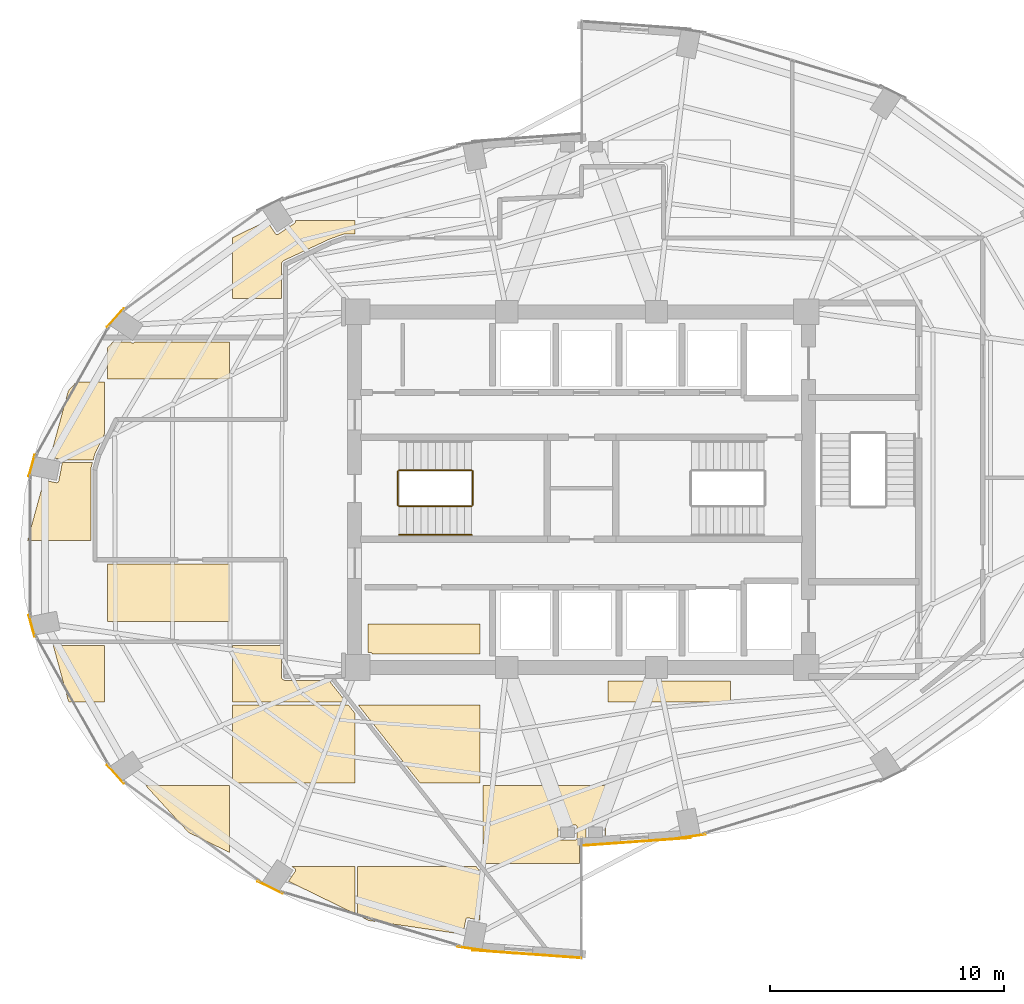
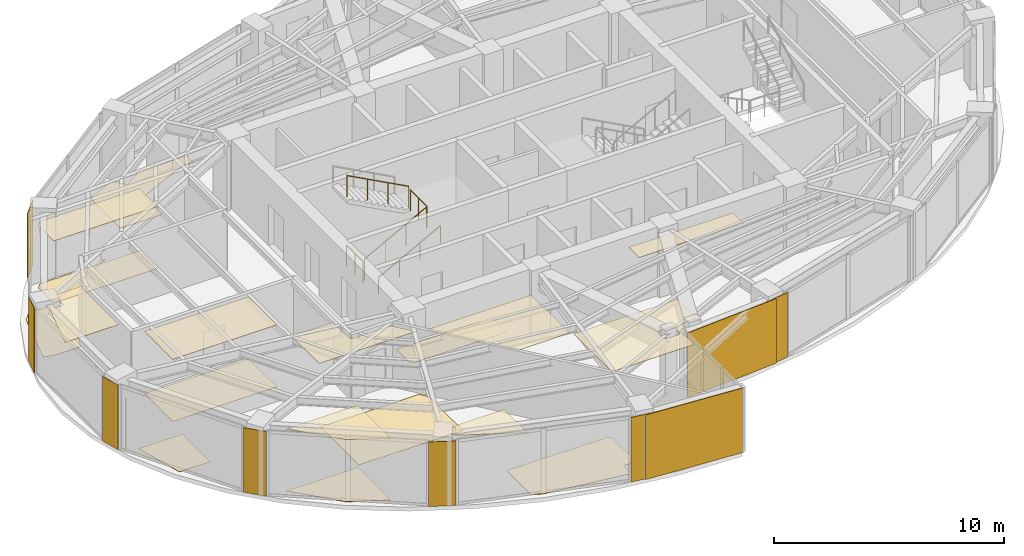
# One storey, part 19 of 20: 27 coverings, 5 railings.
"""IFC4 building model written with IfcOpenShell, lengths in metres."""

from ifc_helpers import new_model, si_unit, direction, frame, origin, origin_2d, place, context, subcontext, project, spatial, polyline, rectangle, circle, outline, extrude, material, layer, layer_set, type_object, element, save


model = new_model("IFC4")

# Units and contexts
model_context = context("Model", 3, precision=1e-05, world=origin(), true_north=direction((0.0, 1.0)))
body_context = subcontext(model_context, "Body", "Model", "MODEL_VIEW")
ifc_project = project(units=[si_unit("LENGTHUNIT", "METRE"), si_unit("AREAUNIT", "SQUARE_METRE"), si_unit("VOLUMEUNIT", "CUBIC_METRE"), si_unit("PLANEANGLEUNIT", "RADIAN"), si_unit("MASSUNIT", "GRAM", prefix="KILO")], contexts=[model_context])

# Site, building, storey
site_placement = place(None, origin())
site = spatial("IfcSite", under=ifc_project, at=site_placement, CompositionType="ELEMENT")
building_placement = place(site_placement, origin())
building = spatial("IfcBuilding", under=site, at=building_placement, Name="Lazwardi Medical Tower", CompositionType="ELEMENT")
storey_placement = place(building_placement, frame((0.0, 0.0, 152.8798828125)))
storey = spatial("IfcBuildingStorey", under=building, at=storey_placement, Name="L39", CompositionType="ELEMENT", Elevation=152.8798828125)

# Coverings
ifc_material_1 = material(Name="Anodised bronze aluminium cassette cladding", Category="aluminium")
ifc_layer_1 = layer(ifc_material_1, 0.030029296875)
ifc_layer_set_1 = layer_set([ifc_layer_1], Name="Anodised bronze aluminium cassette cladding")
covering_type_1 = type_object("IfcCoveringType", Name="COV-CLD-BRZ", PredefinedType="CLADDING", material=ifc_layer_set_1)
covering_1_placement = place(storey_placement, frame((40.67431640625, 13.17578125, 0.0), z_axis=(0.0, 0.0, 1.0), x_axis=(0.989539138138, 0.144264666823, 0.0)))
element("IfcCovering", 1, at=covering_1_placement, inside=storey, type_object=covering_type_1, Name="L39 Mega-column bronze cassette cover M01", PredefinedType="CLADDING", context=body_context, shape_type="SweptSolid", body=[
    extrude(rectangle(XDim=1.28515625, YDim=0.030029296875, at=origin_2d()), origin(), (0.0, 0.0, 1.0), 3.427978515625),
])
covering_2_placement = place(storey_placement, frame((16.07861328125, 35.356689453125, 0.0), z_axis=(0.0, 0.0, 1.0), x_axis=(-0.673714459537, -0.738991763832, 0.0)))
element("IfcCovering", 2, at=covering_2_placement, inside=storey, type_object=covering_type_1, Name="L39 Mega-column bronze cassette cover M11", PredefinedType="CLADDING", context=body_context, shape_type="SweptSolid", body=[
    extrude(rectangle(XDim=1.0693359375, YDim=0.030029296875, at=origin_2d()), origin(), (0.0, 0.0, 1.0), 3.427978515625),
])
for number, where, z_axis, x_axis, name in (
    (3, (12.501220703125, 29.026123046875, 0.0), (0.0, 0.0, 1.0), (-0.261828726257, -0.965114354938, 0.0), "L39 Mega-column bronze cassette cover M12"),
    (4, (12.501220703125, 22.173828125, 0.0), (0.0, 0.0, 1.0), (0.261828726257, -0.965114354938, 0.0), "L39 Mega-column bronze cassette cover M13"),
):
    element("IfcCovering", number, at=place(storey_placement, frame(where, z_axis=z_axis, x_axis=x_axis)), inside=storey, type_object=covering_type_1, Name=name, PredefinedType="CLADDING", context=body_context, shape_type="SweptSolid", body=[
        extrude(rectangle(XDim=0.9658203125, YDim=0.030029296875, at=origin_2d()), origin(), (0.0, 0.0, 1.0), 3.427978515625),
    ])
covering_3_placement = place(storey_placement, frame((16.07861328125, 15.84326171875, 0.0), z_axis=(0.0, 0.0, 1.0), x_axis=(0.673714459537, -0.738991763832, 0.0)))
element("IfcCovering", 5, at=covering_3_placement, inside=storey, type_object=covering_type_1, Name="L39 Mega-column bronze cassette cover M14", PredefinedType="CLADDING", context=body_context, shape_type="SweptSolid", body=[
    extrude(rectangle(XDim=1.0693359375, YDim=0.030029296875, at=origin_2d()), origin(), (0.0, 0.0, 1.0), 3.427978515625),
])
covering_4_placement = place(storey_placement, frame((22.68896484375, 10.998046875, 0.0), z_axis=(0.0, 0.0, 1.0), x_axis=(0.898079014814, -0.439834154144, 0.0)))
element("IfcCovering", 6, at=covering_4_placement, inside=storey, type_object=covering_type_1, Name="L39 Mega-column bronze cassette cover M15", PredefinedType="CLADDING", context=body_context, shape_type="SweptSolid", body=[
    extrude(rectangle(XDim=1.200439453125, YDim=0.030029296875, at=origin_2d()), origin(), (0.0, 0.0, 1.0), 3.427978515625),
])
covering_5_placement = place(storey_placement, frame((31.32568359375, 8.3759765625, 0.0), z_axis=(0.0, 0.0, 1.0), x_axis=(0.989539138138, -0.144264666823, 0.0)))
element("IfcCovering", 7, at=covering_5_placement, inside=storey, type_object=covering_type_1, Name="L39 Mega-column bronze cassette cover M16", PredefinedType="CLADDING", context=body_context, shape_type="SweptSolid", body=[
    extrude(rectangle(XDim=1.28515625, YDim=0.030029296875, at=origin_2d()), origin(), (0.0, 0.0, 1.0), 3.427978515625),
])
ifc_material_2 = material(Name="Turquoise glazed ceramic tilework cladding", Category="masonry")
ifc_layer_2 = layer(ifc_material_2, 0.034912109375)
ifc_layer_set_2 = layer_set([ifc_layer_2], Name="Turquoise glazed ceramic tilework cladding")
covering_type_2 = type_object("IfcCoveringType", Name="COV-CLD-TRQ", PredefinedType="CLADDING", material=ifc_layer_set_2)
covering_6_placement = place(storey_placement, frame((38.338134765625, 12.952392578125, 0.0), z_axis=(0.0, 0.0, 1.0), x_axis=(0.997414510753, 0.071863020663, 0.0)))
element("IfcCovering", 8, at=covering_6_placement, inside=storey, type_object=covering_type_2, Name="L39 Turquoise glazed ceramic tilework cladding", PredefinedType="CLADDING", context=body_context, shape_type="SweptSolid", body=[
    extrude(rectangle(XDim=4.6630859375, YDim=0.034912109375, at=origin_2d()), origin(), (0.0, 0.0, 1.0), 3.427978515625),
])
covering_7_placement = place(storey_placement, frame((33.66162109375, 8.152587890625, 0.0), z_axis=(0.0, 0.0, 1.0), x_axis=(0.997414134466, -0.071868243112, 0.0)))
element("IfcCovering", 9, at=covering_7_placement, inside=storey, type_object=covering_type_2, Name="L39 Turquoise glazed ceramic tilework cladding", PredefinedType="CLADDING", context=body_context, shape_type="SweptSolid", body=[
    extrude(rectangle(XDim=4.66259765625, YDim=0.034912109375, at=origin_2d()), origin(), (0.0, 0.0, 1.0), 3.427978515625),
])
ifc_material_3 = material(Name="Acoustic mineral fibre tile")
ifc_layer_3 = layer(ifc_material_3, 0.02490234375)
ifc_layer_set_3 = layer_set([ifc_layer_3], Name="Acoustic mineral fibre tile")
covering_type_3 = type_object("IfcCoveringType", Name="COV-CLG-01", PredefinedType="CEILING", material=ifc_layer_set_3)
covering_8_placement = place(storey_placement, frame((0.0, 0.0, 3.283203125)))
element("IfcCovering", 10, at=covering_8_placement, inside=storey, type_object=covering_type_3, Name="L39 Clinical Acoustic Ceiling 1", PredefinedType="CEILING", context=body_context, shape_type="SweptSolid", body=[
    extrude(outline(polyline([(13.810302734375, 29.152587890625), (13.65234375, 28.3583984375), (13.650390625, 28.3505859375), (13.647705078125, 28.34326171875), (13.644287109375, 28.336181640625), (13.640380859375, 28.32958984375), (13.635498046875, 28.322998046875), (13.63037109375, 28.3173828125), (13.62451171875, 28.31201171875), (13.6181640625, 28.307373046875), (13.611572265625, 28.30322265625), (13.6044921875, 28.300048828125), (13.596923828125, 28.29736328125), (13.58935546875, 28.29541015625), (13.58154296875, 28.294189453125), (13.57373046875, 28.2939453125), (13.56591796875, 28.294189453125), (13.55810546875, 28.29541015625), (13.02490234375, 28.401611328125), (12.323486328125, 25.822509765625), (15.02490234375, 25.822509765625), (15.02490234375, 28.881103515625), (15.025146484375, 28.884765625), (15.025390625, 28.8935546875), (15.026123046875, 28.90087890625), (15.02734375, 28.90966796875), (15.02880859375, 28.91650390625), (15.03076171875, 28.92529296875), (15.031494140625, 28.928955078125), (15.09521484375, 29.152587890625), (13.810302734375, 29.152587890625)])), origin(), (0.0, 0.0, 1.0), 0.02490234375),
])
covering_9_placement = place(storey_placement, frame((0.0, 0.0, 3.283203125)))
element("IfcCovering", 11, at=covering_9_placement, inside=storey, type_object=covering_type_3, Name="L39 Clinical Acoustic Ceiling 2", PredefinedType="CEILING", context=body_context, shape_type="SweptSolid", body=[
    extrude(outline(polyline([(17.37353515625, 15.3525390625), (19.20556640625, 13.347412109375), (20.962890625, 12.488525390625), (20.962890625, 15.3525390625), (17.37353515625, 15.3525390625)])), origin(), (0.0, 0.0, 1.0), 0.02490234375),
])
covering_10_placement = place(storey_placement, frame((0.0, 0.0, 3.283203125)))
element("IfcCovering", 12, at=covering_10_placement, inside=storey, type_object=covering_type_3, Name="L39 Clinical Acoustic Ceiling 3", PredefinedType="CEILING", context=body_context, shape_type="SweptSolid", body=[
    extrude(outline(polyline([(20.962890625, 24.824951171875), (15.73291015625, 24.824951171875), (15.73291015625, 22.37255859375), (20.962890625, 22.37255859375), (20.962890625, 24.824951171875)])), origin(), (0.0, 0.0, 1.0), 0.02490234375),
])
covering_11_placement = place(storey_placement, frame((0.0, 0.0, 3.283203125)))
element("IfcCovering", 13, at=covering_11_placement, inside=storey, type_object=covering_type_3, Name="L39 Clinical Acoustic Ceiling 4", PredefinedType="CEILING", context=body_context, shape_type="SweptSolid", body=[
    extrude(outline(polyline([(20.962890625, 34.300048828125), (16.887939453125, 34.300048828125), (16.88671875, 34.29833984375), (16.882080078125, 34.2919921875), (16.876708984375, 34.2861328125), (16.87109375, 34.281005859375), (16.86474609375, 34.276123046875), (16.85791015625, 34.272216796875), (16.850830078125, 34.268798828125), (16.843505859375, 34.26611328125), (16.835693359375, 34.26416015625), (16.827880859375, 34.26318359375), (16.8203125, 34.2626953125), (16.8125, 34.26318359375), (16.8046875, 34.26416015625), (16.797119140625, 34.26611328125), (16.78955078125, 34.268798828125), (16.782470703125, 34.272216796875), (16.775634765625, 34.276123046875), (16.739990234375, 34.300048828125), (15.959716796875, 34.300048828125), (15.73291015625, 34.0517578125), (15.73291015625, 32.722412109375), (20.962890625, 32.722412109375), (20.962890625, 34.300048828125)])), origin(), (0.0, 0.0, 1.0), 0.02490234375),
])
covering_12_placement = place(storey_placement, frame((0.0, 0.0, 3.283203125)))
element("IfcCovering", 14, at=covering_12_placement, inside=storey, type_object=covering_type_3, Name="L39 Clinical Acoustic Ceiling 5", PredefinedType="CEILING", context=body_context, shape_type="SweptSolid", body=[
    extrude(outline(polyline([(23.604736328125, 11.902587890625), (23.74609375, 11.80810546875), (23.75244140625, 11.803466796875), (23.75830078125, 11.798095703125), (23.763427734375, 11.79248046875), (23.76806640625, 11.785888671875), (23.772216796875, 11.779296875), (23.775390625, 11.772216796875), (23.7783203125, 11.764892578125), (23.780029296875, 11.757080078125), (23.78125, 11.74951171875), (23.781494140625, 11.74169921875), (23.78125, 11.73388671875), (23.780029296875, 11.72607421875), (23.7783203125, 11.718505859375), (23.775390625, 11.7109375), (23.772216796875, 11.703857421875), (23.76806640625, 11.697021484375), (23.476318359375, 11.260498046875), (26.31298828125, 9.87451171875), (26.31298828125, 11.902587890625), (23.604736328125, 11.902587890625)])), origin(), (0.0, 0.0, 1.0), 0.02490234375),
])
covering_13_placement = place(storey_placement, frame((0.0, 0.0, 3.283203125)))
element("IfcCovering", 15, at=covering_13_placement, inside=storey, type_object=covering_type_3, Name="L39 Clinical Acoustic Ceiling 6", PredefinedType="CEILING", context=body_context, shape_type="SweptSolid", body=[
    extrude(outline(polyline([(25.93408203125, 18.922607421875), (25.203857421875, 19.844970703125), (23.35009765625, 19.844970703125), (23.345703125, 19.84521484375), (23.33642578125, 19.845703125), (23.32958984375, 19.84619140625), (23.3203125, 19.84765625), (23.31201171875, 19.84912109375), (23.302734375, 19.8515625), (23.2958984375, 19.853515625), (23.287109375, 19.856689453125), (23.279296875, 19.860107421875), (23.270751953125, 19.864013671875), (23.263916015625, 19.86767578125), (23.256103515625, 19.872314453125), (23.249267578125, 19.876953125), (23.24169921875, 19.882568359375), (23.236083984375, 19.88720703125), (23.229248046875, 19.893310546875), (23.223388671875, 19.8994140625), (23.217041015625, 19.90625), (23.21240234375, 19.911865234375), (23.206787109375, 19.919189453125), (23.202392578125, 19.926025390625), (23.197509765625, 19.93408203125), (23.194091796875, 19.94091796875), (23.18994140625, 19.94921875), (23.186767578125, 19.95703125), (23.18359375, 19.9658203125), (23.181396484375, 19.972900390625), (23.17919921875, 19.98193359375), (23.177490234375, 19.990234375), (23.17626953125, 19.99951171875), (23.175537109375, 20.00634765625), (23.175048828125, 20.015625), (23.175048828125, 20.02001953125), (23.175048828125, 21.3349609375), (21.0830078125, 21.3349609375), (21.0830078125, 18.922607421875), (25.93408203125, 18.922607421875)])), origin(), (0.0, 0.0, 1.0), 0.02490234375),
])
covering_14_placement = place(storey_placement, frame((0.0, 0.0, 3.283203125)))
element("IfcCovering", 16, at=covering_14_placement, inside=storey, type_object=covering_type_3, Name="L39 Clinical Acoustic Ceiling 7", PredefinedType="CEILING", context=body_context, shape_type="SweptSolid", body=[
    extrude(outline(polyline([(26.4501953125, 18.802490234375), (29.08642578125, 15.472412109375), (31.662841796875, 15.472412109375), (31.662841796875, 18.802490234375), (26.4501953125, 18.802490234375)])), origin(), (0.0, 0.0, 1.0), 0.02490234375),
])
covering_15_placement = place(storey_placement, frame((0.0, 0.0, 3.283203125)))
element("IfcCovering", 17, at=covering_15_placement, inside=storey, type_object=covering_type_3, Name="L39 Clinical Acoustic Ceiling 8", PredefinedType="CEILING", context=body_context, shape_type="SweptSolid", body=[
    extrude(outline(polyline([(31.782958984375, 12.06640625), (31.817626953125, 12.0224609375), (35.919921875, 12.0224609375), (35.919921875, 12.97998046875), (35.92041015625, 12.987548828125), (35.92138671875, 12.9951171875), (35.923095703125, 13.00244140625), (35.92578125, 13.009765625), (35.928955078125, 13.0166015625), (35.9326171875, 13.023193359375), (35.93701171875, 13.029296875), (35.942138671875, 13.03515625), (35.947509765625, 13.040283203125), (35.95361328125, 13.045166015625), (35.9599609375, 13.04931640625), (35.966796875, 13.052734375), (35.9736328125, 13.0556640625), (35.98095703125, 13.0576171875), (35.988525390625, 13.05908203125), (36.201416015625, 13.090087890625), (36.200439453125, 13.09716796875), (36.199951171875, 13.10498046875), (36.199951171875, 13.594970703125), (36.200439453125, 13.602783203125), (36.201416015625, 13.610595703125), (36.203369140625, 13.6181640625), (36.2060546875, 13.62548828125), (36.20947265625, 13.6328125), (36.21337890625, 13.639404296875), (36.21826171875, 13.645751953125), (36.223388671875, 13.651611328125), (36.229248046875, 13.65673828125), (36.235595703125, 13.66162109375), (36.2421875, 13.66552734375), (36.24951171875, 13.6689453125), (36.2568359375, 13.671630859375), (36.264404296875, 13.673583984375), (36.272216796875, 13.674560546875), (36.280029296875, 13.675048828125), (36.919921875, 13.675048828125), (36.927734375, 13.674560546875), (36.935546875, 13.673583984375), (36.943115234375, 13.671630859375), (36.95068359375, 13.6689453125), (36.957763671875, 13.66552734375), (36.96435546875, 13.66162109375), (36.970703125, 13.65673828125), (36.9765625, 13.651611328125), (36.981689453125, 13.645751953125), (36.986572265625, 13.639404296875), (36.990478515625, 13.6328125), (36.993896484375, 13.62548828125), (36.99658203125, 13.6181640625), (36.99853515625, 13.610595703125), (36.99951171875, 13.602783203125), (37.0, 13.594970703125), (37.0, 13.206298828125), (37.012939453125, 13.208251953125), (37.012939453125, 15.3525390625), (31.782958984375, 15.3525390625), (31.782958984375, 12.06640625)]), holes=[polyline([(35.7431640625, 13.0283203125), (35.735595703125, 13.026611328125), (35.727783203125, 13.025390625), (35.719970703125, 13.02490234375), (35.080078125, 13.02490234375), (35.072265625, 13.025390625), (35.064453125, 13.026611328125), (35.056884765625, 13.0283203125), (35.04931640625, 13.031005859375), (35.042236328125, 13.034423828125), (35.03564453125, 13.03857421875), (35.029296875, 13.043212890625), (35.0234375, 13.04833984375), (35.018310546875, 13.05419921875), (35.013427734375, 13.060546875), (35.009521484375, 13.0673828125), (35.006103515625, 13.074462890625), (35.00341796875, 13.081787109375), (35.00146484375, 13.08935546875), (35.00048828125, 13.09716796875), (35.0, 13.10498046875), (35.0, 13.594970703125), (35.00048828125, 13.602783203125), (35.00146484375, 13.610595703125), (35.00341796875, 13.6181640625), (35.006103515625, 13.62548828125), (35.009521484375, 13.6328125), (35.013427734375, 13.639404296875), (35.018310546875, 13.645751953125), (35.0234375, 13.651611328125), (35.029296875, 13.65673828125), (35.03564453125, 13.66162109375), (35.042236328125, 13.66552734375), (35.04931640625, 13.6689453125), (35.056884765625, 13.671630859375), (35.064453125, 13.673583984375), (35.072265625, 13.674560546875), (35.080078125, 13.675048828125), (35.719970703125, 13.675048828125), (35.727783203125, 13.674560546875), (35.735595703125, 13.673583984375), (35.7431640625, 13.671630859375), (35.75048828125, 13.6689453125), (35.7578125, 13.66552734375), (35.764404296875, 13.66162109375), (35.770751953125, 13.65673828125), (35.776611328125, 13.651611328125), (35.78173828125, 13.645751953125), (35.78662109375, 13.639404296875), (35.79052734375, 13.6328125), (35.7939453125, 13.62548828125), (35.796630859375, 13.6181640625), (35.798583984375, 13.610595703125), (35.799560546875, 13.602783203125), (35.800048828125, 13.594970703125), (35.800048828125, 13.10498046875), (35.799560546875, 13.09716796875), (35.798583984375, 13.08935546875), (35.796630859375, 13.081787109375), (35.7939453125, 13.074462890625), (35.79052734375, 13.0673828125), (35.78662109375, 13.060546875), (35.78173828125, 13.05419921875), (35.776611328125, 13.04833984375), (35.770751953125, 13.043212890625), (35.764404296875, 13.03857421875), (35.7578125, 13.034423828125), (35.75048828125, 13.031005859375), (35.7431640625, 13.0283203125)])]), origin(), (0.0, 0.0, 1.0), 0.02490234375),
])
covering_16_placement = place(storey_placement, frame((0.0, 0.0, 3.283203125)))
element("IfcCovering", 18, at=covering_16_placement, inside=storey, type_object=covering_type_3, Name="L39 Clinical Acoustic Ceiling 9", PredefinedType="CEILING", context=body_context, shape_type="SweptSolid", body=[
    extrude(outline(polyline([(42.36279296875, 19.820068359375), (37.1328125, 19.820068359375), (37.1328125, 18.922607421875), (42.36279296875, 18.922607421875), (42.36279296875, 19.820068359375)])), origin(), (0.0, 0.0, 1.0), 0.02490234375),
])
ifc_material_4 = material(Name="Anti-static hospital vinyl sheet flooring")
ifc_layer_4 = layer(ifc_material_4, 0.014892578125)
ifc_layer_set_4 = layer_set([ifc_layer_4], Name="Anti-static hospital vinyl sheet flooring")
covering_type_4 = type_object("IfcCoveringType", Name="COV-FLR-01", PredefinedType="FLOORING", material=ifc_layer_set_4)
covering_17_placement = place(storey_placement, origin())
element("IfcCovering", 19, at=covering_17_placement, inside=storey, type_object=covering_type_4, Name="L39 Clinical Vinyl Flooring 1", PredefinedType="FLOORING", context=body_context, shape_type="SweptSolid", body=[
    extrude(outline(polyline([(15.61279296875, 21.3349609375), (13.423095703125, 21.3349609375), (14.065185546875, 18.973388671875), (14.11181640625, 18.922607421875), (15.61279296875, 18.922607421875), (15.61279296875, 21.3349609375)])), origin(), (0.0, 0.0, 1.0), 0.01513671875),
])
covering_18_placement = place(storey_placement, origin())
element("IfcCovering", 20, at=covering_18_placement, inside=storey, type_object=covering_type_4, Name="L39 Clinical Vinyl Flooring 2", PredefinedType="FLOORING", context=body_context, shape_type="SweptSolid", body=[
    extrude(outline(polyline([(14.40869140625, 32.6025390625), (14.065185546875, 32.2265625), (13.293212890625, 29.38818359375), (13.757080078125, 29.2958984375), (13.764892578125, 29.2939453125), (13.772216796875, 29.291259765625), (13.779296875, 29.2880859375), (13.785888671875, 29.283935546875), (13.79248046875, 29.279296875), (13.798095703125, 29.27392578125), (13.799560546875, 29.2724609375), (15.129150390625, 29.2724609375), (15.199462890625, 29.519775390625), (15.200439453125, 29.523193359375), (15.203125, 29.531005859375), (15.20556640625, 29.53759765625), (15.208984375, 29.545166015625), (15.210205078125, 29.548095703125), (15.61279296875, 30.37890625), (15.61279296875, 32.6025390625), (14.40869140625, 32.6025390625)])), origin(), (0.0, 0.0, 1.0), 0.01513671875),
])
covering_19_placement = place(storey_placement, origin())
element("IfcCovering", 21, at=covering_19_placement, inside=storey, type_object=covering_type_4, Name="L39 Clinical Vinyl Flooring 3", PredefinedType="FLOORING", context=body_context, shape_type="SweptSolid", body=[
    extrude(outline(polyline([(17.37353515625, 15.3525390625), (19.20556640625, 13.347412109375), (20.962890625, 12.488525390625), (20.962890625, 15.3525390625), (17.37353515625, 15.3525390625)])), origin(), (0.0, 0.0, 1.0), 0.01513671875),
])
covering_20_placement = place(storey_placement, origin())
element("IfcCovering", 22, at=covering_20_placement, inside=storey, type_object=covering_type_4, Name="L39 Clinical Vinyl Flooring 4", PredefinedType="FLOORING", context=body_context, shape_type="SweptSolid", body=[
    extrude(outline(polyline([(20.962890625, 24.824951171875), (15.73291015625, 24.824951171875), (15.73291015625, 22.37255859375), (20.962890625, 22.37255859375), (20.962890625, 24.824951171875)])), origin(), (0.0, 0.0, 1.0), 0.01513671875),
])
covering_21_placement = place(storey_placement, origin())
element("IfcCovering", 23, at=covering_21_placement, inside=storey, type_object=covering_type_4, Name="L39 Clinical Vinyl Flooring 5", PredefinedType="FLOORING", context=body_context, shape_type="SweptSolid", body=[
    extrude(outline(polyline([(20.962890625, 34.300048828125), (16.887939453125, 34.300048828125), (16.88671875, 34.29833984375), (16.882080078125, 34.2919921875), (16.876708984375, 34.2861328125), (16.87109375, 34.281005859375), (16.86474609375, 34.276123046875), (16.85791015625, 34.272216796875), (16.850830078125, 34.268798828125), (16.843505859375, 34.26611328125), (16.835693359375, 34.26416015625), (16.827880859375, 34.26318359375), (16.8203125, 34.2626953125), (16.8125, 34.26318359375), (16.8046875, 34.26416015625), (16.797119140625, 34.26611328125), (16.78955078125, 34.268798828125), (16.782470703125, 34.272216796875), (16.775634765625, 34.276123046875), (16.739990234375, 34.300048828125), (15.959716796875, 34.300048828125), (15.73291015625, 34.0517578125), (15.73291015625, 32.722412109375), (20.962890625, 32.722412109375), (20.962890625, 34.300048828125)])), origin(), (0.0, 0.0, 1.0), 0.01513671875),
])
covering_22_placement = place(storey_placement, origin())
element("IfcCovering", 24, at=covering_22_placement, inside=storey, type_object=covering_type_4, Name="L39 Clinical Vinyl Flooring 6", PredefinedType="FLOORING", context=body_context, shape_type="SweptSolid", body=[
    extrude(outline(polyline([(26.31298828125, 18.444091796875), (26.029296875, 18.802490234375), (21.0830078125, 18.802490234375), (21.0830078125, 15.472412109375), (26.31298828125, 15.472412109375), (26.31298828125, 18.444091796875)])), origin(), (0.0, 0.0, 1.0), 0.01513671875),
])
covering_23_placement = place(storey_placement, origin())
element("IfcCovering", 25, at=covering_23_placement, inside=storey, type_object=covering_type_4, Name="L39 Clinical Vinyl Flooring 7", PredefinedType="FLOORING", context=body_context, shape_type="SweptSolid", body=[
    extrude(outline(polyline([(23.768310546875, 39.50244140625), (23.772216796875, 39.49609375), (23.775390625, 39.489013671875), (23.7783203125, 39.481689453125), (23.780029296875, 39.47412109375), (23.78125, 39.46630859375), (23.781494140625, 39.45849609375), (23.78125, 39.45068359375), (23.780029296875, 39.44287109375), (23.7783203125, 39.435302734375), (23.775390625, 39.427734375), (23.772216796875, 39.420654296875), (23.76806640625, 39.4140625), (23.763427734375, 39.40771484375), (23.75830078125, 39.40185546875), (23.75244140625, 39.396484375), (23.74609375, 39.391845703125), (23.031005859375, 38.9140625), (23.024169921875, 38.909912109375), (23.01708984375, 38.90673828125), (23.009765625, 38.904052734375), (23.002197265625, 38.902099609375), (22.994384765625, 38.90087890625), (22.986572265625, 38.900634765625), (22.978759765625, 38.90087890625), (22.970947265625, 38.902099609375), (22.96337890625, 38.904052734375), (22.955810546875, 38.90673828125), (22.94873046875, 38.909912109375), (22.942138671875, 38.9140625), (22.935791015625, 38.918701171875), (22.929931640625, 38.924072265625), (22.9248046875, 38.929931640625), (22.919921875, 38.936279296875), (22.551513671875, 39.487548828125), (21.0830078125, 38.77001953125), (21.0830078125, 36.172607421875), (23.175048828125, 36.172607421875), (23.175048828125, 37.6337890625), (23.175048828125, 37.637451171875), (23.175537109375, 37.646484375), (23.17626953125, 37.654296875), (23.177490234375, 37.663330078125), (23.178955078125, 37.67041015625), (23.180908203125, 37.67919921875), (23.18310546875, 37.686279296875), (23.18603515625, 37.694580078125), (23.18896484375, 37.7021484375), (23.192626953125, 37.710205078125), (23.19580078125, 37.71630859375), (23.2001953125, 37.72412109375), (23.204345703125, 37.730712890625), (23.20947265625, 37.73828125), (23.214111328125, 37.744140625), (23.219970703125, 37.7509765625), (23.2255859375, 37.7568359375), (23.232177734375, 37.76318359375), (23.2373046875, 37.767578125), (23.244384765625, 37.773193359375), (23.25048828125, 37.77783203125), (23.258056640625, 37.78271484375), (23.26416015625, 37.786376953125), (23.272216796875, 37.79052734375), (23.27587890625, 37.79248046875), (25.245849609375, 38.714111328125), (25.24951171875, 38.7158203125), (25.2587890625, 38.719482421875), (25.262939453125, 38.72119140625), (25.825439453125, 38.915283203125), (25.82958984375, 38.916748046875), (25.83984375, 38.919677734375), (25.848876953125, 38.921630859375), (25.859130859375, 38.92333984375), (25.867431640625, 38.92431640625), (25.8779296875, 38.9248046875), (25.882568359375, 38.925048828125), (26.31298828125, 38.925048828125), (26.31298828125, 39.50244140625), (23.768310546875, 39.50244140625)])), origin(), (0.0, 0.0, 1.0), 0.01513671875),
])
covering_24_placement = place(storey_placement, origin())
element("IfcCovering", 26, at=covering_24_placement, inside=storey, type_object=covering_type_4, Name="L39 Clinical Vinyl Flooring 8", PredefinedType="FLOORING", context=body_context, shape_type="SweptSolid", body=[
    extrude(outline(polyline([(31.662841796875, 11.686279296875), (31.49169921875, 11.902587890625), (26.432861328125, 11.902587890625), (26.432861328125, 9.815673828125), (26.908447265625, 9.58349609375), (30.92919921875, 8.99853515625), (31.0556640625, 9.63427734375), (31.0576171875, 9.641845703125), (31.060302734375, 9.6494140625), (31.0634765625, 9.656494140625), (31.067626953125, 9.6630859375), (31.072265625, 9.66943359375), (31.077392578125, 9.67529296875), (31.083251953125, 9.680419921875), (31.089599609375, 9.685302734375), (31.096435546875, 9.689208984375), (31.103515625, 9.692626953125), (31.11083984375, 9.6953125), (31.118408203125, 9.697265625), (31.126220703125, 9.6982421875), (31.134033203125, 9.69873046875), (31.141845703125, 9.6982421875), (31.149658203125, 9.697265625), (31.662841796875, 9.59521484375), (31.662841796875, 11.686279296875)])), origin(), (0.0, 0.0, 1.0), 0.01513671875),
])
covering_25_placement = place(storey_placement, origin())
element("IfcCovering", 27, at=covering_25_placement, inside=storey, type_object=covering_type_4, Name="L39 Clinical Vinyl Flooring 9", PredefinedType="FLOORING", context=body_context, shape_type="SweptSolid", body=[
    extrude(outline(polyline([(26.8798828125, 22.25244140625), (26.8798828125, 21.050048828125), (26.969970703125, 21.050048828125), (26.977783203125, 21.049560546875), (26.985595703125, 21.048583984375), (26.9931640625, 21.046630859375), (27.00048828125, 21.0439453125), (27.0078125, 21.04052734375), (27.014404296875, 21.03662109375), (27.020751953125, 21.03173828125), (27.026611328125, 21.026611328125), (27.03173828125, 21.020751953125), (27.03662109375, 21.014404296875), (27.04052734375, 21.0078125), (27.0439453125, 21.00048828125), (27.046630859375, 20.9931640625), (27.048583984375, 20.985595703125), (27.04931640625, 20.97998046875), (31.662841796875, 20.97998046875), (31.662841796875, 22.25244140625), (26.8798828125, 22.25244140625)])), origin(), (0.0, 0.0, 1.0), 0.01513671875),
])

# Railings
ifc_material_5 = material(Name="Stainless steel Grade 316", Category="steel")
railing_type_1 = type_object("IfcRailingType", Name="RLG-GRD-1150", PredefinedType="GUARDRAIL", material=ifc_material_5)
railing_1_placement = place(storey_placement, frame((28.199951171875, 27.2900390625, 0.166015625)))
element("IfcRailing", 28, at=railing_1_placement, inside=storey, type_object=railing_type_1, Name="L39 ST1 stair guard 1", PredefinedType="GUARDRAIL", context=body_context, shape_type="SweptSolid", body=[
    extrude(circle(Radius=0.02392578125, at=origin_2d()), frame((0.0, 0.0, 1.1259765625), z_axis=(0.881783298633, 0.0, 0.471654761719), x_axis=(0.0, 1.0, 0.0)), (0.0, 0.0, 1.0), 3.515625),
    extrude(circle(Radius=0.02099609375, at=origin_2d()), origin(), (0.0, 0.0, 1.0), 1.099853515625),
    extrude(circle(Radius=0.02099609375, at=origin_2d()), frame((1.033447265625, 0.0, 0.552734375)), (0.0, 0.0, 1.0), 1.099853515625),
    extrude(circle(Radius=0.02099609375, at=origin_2d()), frame((2.066650390625, 0.0, 1.10546875)), (0.0, 0.0, 1.0), 1.099853515625),
    extrude(circle(Radius=0.02099609375, at=origin_2d()), frame((3.10009765625, 0.0, 1.658203125)), (0.0, 0.0, 1.0), 1.099853515625),
])
railing_2_placement = place(storey_placement, frame((31.35009765625, 27.340087890625, 1.82421875)))
element("IfcRailing", 29, at=railing_2_placement, inside=storey, type_object=railing_type_1, Name="L39 ST1 stair guard 2", PredefinedType="GUARDRAIL", context=body_context, shape_type="SweptSolid", body=[
    extrude(circle(Radius=0.02392578125, at=origin_2d()), frame((0.0, 0.0, 1.1259765625), z_axis=(0.0, 1.0, 0.0), x_axis=(-1.0, 0.0, 0.0)), (0.0, 0.0, 1.0), 1.43994140625),
    extrude(circle(Radius=0.02099609375, at=origin_2d()), origin(), (0.0, 0.0, 1.0), 1.099853515625),
    extrude(circle(Radius=0.02099609375, at=origin_2d()), frame((0.0, 0.719970703125, 0.0)), (0.0, 0.0, 1.0), 1.099853515625),
    extrude(circle(Radius=0.02099609375, at=origin_2d()), frame((0.0, 1.43994140625, 0.0)), (0.0, 0.0, 1.0), 1.099853515625),
])
railing_3_placement = place(storey_placement, frame((31.300048828125, 28.830078125, 1.989990234375)))
element("IfcRailing", 30, at=railing_3_placement, inside=storey, type_object=railing_type_1, Name="L39 ST1 stair guard 3", PredefinedType="GUARDRAIL", context=body_context, shape_type="SweptSolid", body=[
    extrude(circle(Radius=0.02392578125, at=origin_2d()), frame((0.0, 0.0, 1.1259765625), z_axis=(-0.881783298633, 0.0, 0.471654761719), x_axis=(0.0, -1.0, 0.0)), (0.0, 0.0, 1.0), 3.515625),
    extrude(circle(Radius=0.02099609375, at=origin_2d()), origin(), (0.0, 0.0, 1.0), 1.099853515625),
    extrude(circle(Radius=0.02099609375, at=origin_2d()), frame((-1.033447265625, 0.0, 0.552734375)), (0.0, 0.0, 1.0), 1.099853515625),
    extrude(circle(Radius=0.02099609375, at=origin_2d()), frame((-2.066650390625, 0.0, 1.10546875)), (0.0, 0.0, 1.0), 1.099853515625),
    extrude(circle(Radius=0.02099609375, at=origin_2d()), frame((-3.10009765625, 0.0, 1.658203125)), (0.0, 0.0, 1.0), 1.099853515625),
])
railing_4_placement = place(storey_placement, frame((28.14990234375, 27.340087890625, 0.0)))
element("IfcRailing", 31, at=railing_4_placement, inside=storey, type_object=railing_type_1, Name="L39 ST1 stair guard 4", PredefinedType="GUARDRAIL", context=body_context, shape_type="SweptSolid", body=[
    extrude(circle(Radius=0.02392578125, at=origin_2d()), frame((0.0, 0.0, 1.1259765625), z_axis=(0.0, 1.0, 0.0), x_axis=(-1.0, 0.0, 0.0)), (0.0, 0.0, 1.0), 1.43994140625),
    extrude(circle(Radius=0.02099609375, at=origin_2d()), origin(), (0.0, 0.0, 1.0), 1.099853515625),
    extrude(circle(Radius=0.02099609375, at=origin_2d()), frame((0.0, 0.719970703125, 0.0)), (0.0, 0.0, 1.0), 1.099853515625),
    extrude(circle(Radius=0.02099609375, at=origin_2d()), frame((0.0, 1.43994140625, 0.0)), (0.0, 0.0, 1.0), 1.099853515625),
])
railing_type_2 = type_object("IfcRailingType", Name="RLG-HND-920", PredefinedType="HANDRAIL", material=ifc_material_5)
railing_5_placement = place(storey_placement, frame((28.199951171875, 26.070068359375, 0.166015625)))
element("IfcRailing", 32, at=railing_5_placement, inside=storey, type_object=railing_type_2, Name="L39 ST1 stair handrail 1", PredefinedType="HANDRAIL", context=body_context, shape_type="SweptSolid", body=[
    extrude(circle(Radius=0.02392578125, at=origin_2d()), frame((0.0, 0.0, 0.8857421875), z_axis=(0.881783298633, 0.0, 0.471654761719), x_axis=(0.0, 1.0, 0.0)), (0.0, 0.0, 1.0), 3.515625),
    extrude(circle(Radius=0.02099609375, at=origin_2d()), origin(), (0.0, 0.0, 1.0), 0.85986328125),
    extrude(circle(Radius=0.02099609375, at=origin_2d()), frame((1.033447265625, 0.0, 0.552734375)), (0.0, 0.0, 1.0), 0.85986328125),
    extrude(circle(Radius=0.02099609375, at=origin_2d()), frame((2.066650390625, 0.0, 1.10546875)), (0.0, 0.0, 1.0), 0.85986328125),
    extrude(circle(Radius=0.02099609375, at=origin_2d()), frame((3.10009765625, 0.0, 1.658203125)), (0.0, 0.0, 1.0), 0.85986328125),
])

save(model, "model.ifc")
